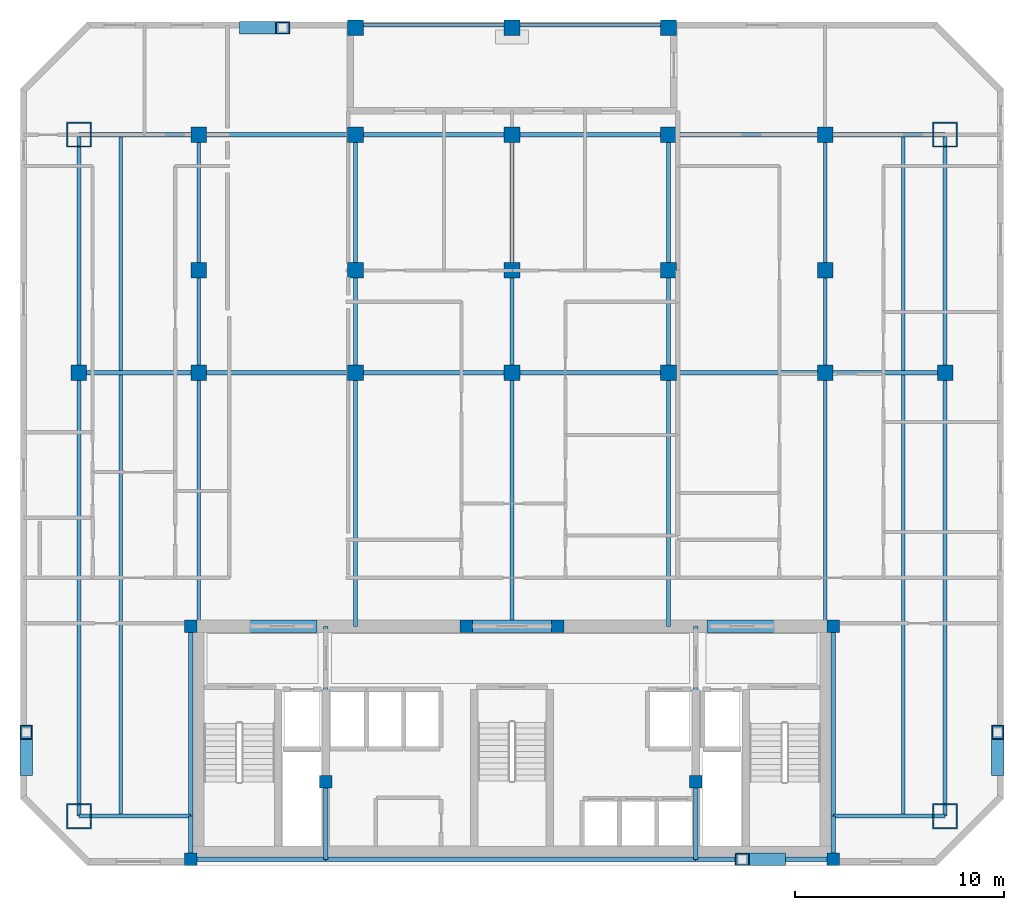
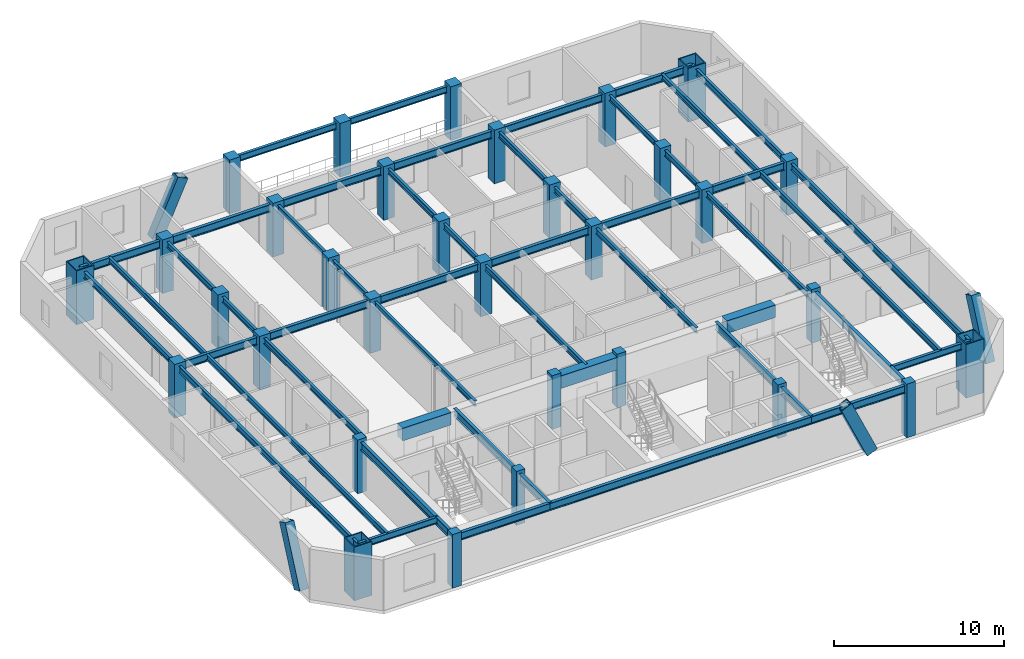
# One storey, part 1 of 8: 48 beams, 32 columns, 4 members.
"""IFC4 building model written with IfcOpenShell, lengths in metres."""

from ifc_helpers import new_model, si_unit, direction, frame, origin, origin_2d, place, context, subcontext, project, spatial, rectangle, hollow_rectangle, i_section, extrude, material, material_profile, profile_set, type_object, element, save


model = new_model("IFC4")

# Units and contexts
model_context = context("Model", 3, precision=1e-05, world=origin(), true_north=direction((0.0, 1.0)))
body_context = subcontext(model_context, "Body", "Model", "MODEL_VIEW")
ifc_project = project(units=[si_unit("LENGTHUNIT", "METRE"), si_unit("AREAUNIT", "SQUARE_METRE"), si_unit("VOLUMEUNIT", "CUBIC_METRE"), si_unit("PLANEANGLEUNIT", "RADIAN"), si_unit("MASSUNIT", "GRAM", prefix="KILO")], contexts=[model_context])

# Site, building, storey
site_placement = place(None, origin())
site = spatial("IfcSite", under=ifc_project, at=site_placement, CompositionType="ELEMENT")
building_placement = place(site_placement, origin())
building = spatial("IfcBuilding", under=site, at=building_placement, Name="Ventersveld Concourse Tower", CompositionType="ELEMENT")
storey_placement = place(building_placement, frame((0.0, 0.0, 192.60009765625)))
storey = spatial("IfcBuildingStorey", under=building, at=storey_placement, Name="L47", CompositionType="ELEMENT", Elevation=192.60009765625)

# Columns
ifc_material_1 = material(Name="Concrete C50/60", Category="concrete")
ifc_material_profile_1 = material_profile(ifc_material_1, rectangle(XDim=0.60009765625, YDim=0.60009765625, at=origin_2d()), Name="RC 600x600")
ifc_profile_set_1 = profile_set([ifc_material_profile_1], Name="Concrete C50/60")
column_type_1 = type_object("IfcColumnType", Name="COL-RC600", PredefinedType="COLUMN", material=ifc_profile_set_1)
for number, where, z_axis, x_axis, name in (
    (1, (13.35009765625, 0.280029296875, 0.0), (0.0, 0.0, 1.0), (1.0, 0.0, 0.0), "L47 Core Spine Column CC-SW"),
    (2, (44.14990234375, 0.280029296875, 0.0), (0.0, 0.0, 1.0), (1.0, 0.0, 0.0), "L47 Core Spine Column CC-SE"),
    (3, (13.35009765625, 11.449951171875, 0.0), (0.0, 0.0, 1.0), (1.0, 0.0, 0.0), "L47 Core Spine Column CC-NW"),
    (4, (44.14990234375, 11.449951171875, 0.0), (0.0, 0.0, 1.0), (1.0, 0.0, 0.0), "L47 Core Spine Column CC-NE"),
    (5, (19.820068359375, 4.0, 0.0), (0.0, 0.0, 1.0), (1.0, 0.0, 0.0), "L47 Core Spine Column CM-1"),
    (6, (37.550048828125, 4.0, 0.0), (0.0, 0.0, 1.0), (1.0, 0.0, 0.0), "L47 Core Spine Column CM-2"),
    (7, (26.550048828125, 11.449951171875, 0.0), (0.0, 0.0, 1.0), (1.0, 0.0, 0.0), "L47 Core Spine Column CM-3"),
    (8, (30.949951171875, 11.449951171875, 0.0), (0.0, 0.0, 1.0), (1.0, 0.0, 0.0), "L47 Core Spine Column CM-4"),
):
    element("IfcColumn", number, at=place(storey_placement, frame(where, z_axis=z_axis, x_axis=x_axis)), inside=storey, type_object=column_type_1, Name=name, PredefinedType="COLUMN", context=body_context, shape_type="SweptSolid", body=[
        extrude(rectangle(XDim=0.60009765625, YDim=0.60009765625, at=origin_2d()), origin(), (0.0, 0.0, 1.0), 3.849853515625),
    ])
ifc_material_profile_2 = material_profile(ifc_material_1, rectangle(XDim=0.75, YDim=0.75, at=origin_2d()), Name="RC 750x750")
ifc_profile_set_2 = profile_set([ifc_material_profile_2], Name="Concrete C50/60")
column_type_2 = type_object("IfcColumnType", Name="COL-RC750", PredefinedType="COLUMN", material=ifc_profile_set_2)
for number, where, z_axis, x_axis, name in (
    (9, (8.0, 23.60009765625, 0.0), (0.0, 0.0, 1.0), (1.0, 0.0, 0.0), "L47 Interior Gravity Column X=8.00 Y=23.60"),
    (10, (13.75, 23.60009765625, 0.0), (0.0, 0.0, 1.0), (1.0, 0.0, 0.0), "L47 Interior Gravity Column X=13.75 Y=23.60"),
    (11, (21.25, 23.60009765625, 0.0), (0.0, 0.0, 1.0), (1.0, 0.0, 0.0), "L47 Interior Gravity Column X=21.25 Y=23.60"),
    (12, (28.75, 23.60009765625, 0.0), (0.0, 0.0, 1.0), (1.0, 0.0, 0.0), "L47 Interior Gravity Column X=28.75 Y=23.60"),
    (13, (36.25, 23.60009765625, 0.0), (0.0, 0.0, 1.0), (1.0, 0.0, 0.0), "L47 Interior Gravity Column X=36.25 Y=23.60"),
    (14, (43.75, 23.60009765625, 0.0), (0.0, 0.0, 1.0), (1.0, 0.0, 0.0), "L47 Interior Gravity Column X=43.75 Y=23.60"),
    (15, (49.5, 23.60009765625, 0.0), (0.0, 0.0, 1.0), (1.0, 0.0, 0.0), "L47 Interior Gravity Column X=49.50 Y=23.60"),
    (16, (13.75, 28.5, 0.0), (0.0, 0.0, 1.0), (1.0, 0.0, 0.0), "L47 Upper-North Gravity Column X=13.75 Y=28.50"),
    (17, (21.25, 28.5, 0.0), (0.0, 0.0, 1.0), (1.0, 0.0, 0.0), "L47 Upper-North Gravity Column X=21.25 Y=28.50"),
    (18, (28.75, 28.5, 0.0), (0.0, 0.0, 1.0), (1.0, 0.0, 0.0), "L47 Upper-North Gravity Column X=28.75 Y=28.50"),
    (19, (36.25, 28.5, 0.0), (0.0, 0.0, 1.0), (1.0, 0.0, 0.0), "L47 Upper-North Gravity Column X=36.25 Y=28.50"),
    (20, (43.75, 28.5, 0.0), (0.0, 0.0, 1.0), (1.0, 0.0, 0.0), "L47 Upper-North Gravity Column X=43.75 Y=28.50"),
    (21, (21.25, 40.1201171875, 0.0), (0.0, 0.0, 1.0), (1.0, 0.0, 0.0), "L47 North Brace Node Column X=21.25 Y=40.12"),
    (22, (28.75, 40.1201171875, 0.0), (0.0, 0.0, 1.0), (1.0, 0.0, 0.0), "L47 North Brace Node Column X=28.75 Y=40.12"),
    (23, (36.25, 40.1201171875, 0.0), (0.0, 0.0, 1.0), (1.0, 0.0, 0.0), "L47 North Brace Node Column X=36.25 Y=40.12"),
    (24, (13.75, 35.0, 0.0), (0.0, 0.0, 1.0), (1.0, 0.0, 0.0), "L47 Mid-North Column X=13.75 Y=35.00"),
    (25, (21.25, 35.0, 0.0), (0.0, 0.0, 1.0), (1.0, 0.0, 0.0), "L47 Mid-North Column X=21.25 Y=35.00"),
    (26, (28.75, 35.0, 0.0), (0.0, 0.0, 1.0), (1.0, 0.0, 0.0), "L47 Mid-North Column X=28.75 Y=35.00"),
    (27, (36.25, 35.0, 0.0), (0.0, 0.0, 1.0), (1.0, 0.0, 0.0), "L47 Mid-North Column X=36.25 Y=35.00"),
    (28, (43.75, 35.0, 0.0), (0.0, 0.0, 1.0), (1.0, 0.0, 0.0), "L47 Mid-North Column X=43.75 Y=35.00"),
):
    element("IfcColumn", number, at=place(storey_placement, frame(where, z_axis=z_axis, x_axis=x_axis)), inside=storey, type_object=column_type_2, Name=name, PredefinedType="COLUMN", context=body_context, shape_type="SweptSolid", body=[
        extrude(rectangle(XDim=0.75, YDim=0.75, at=origin_2d()), origin(), (0.0, 0.0, 1.0), 3.849853515625),
    ])
ifc_material_2 = material(Name="Structural steel S460ML", Category="steel")
ifc_material_profile_3 = material_profile(ifc_material_2, hollow_rectangle(XDim=1.199951171875, YDim=1.199951171875, WallThickness=0.070068359375, at=origin_2d()), Name="BOX 1200x1200x70")
ifc_profile_set_3 = profile_set([ifc_material_profile_3], Name="Structural steel S460ML")
column_type_3 = type_object("IfcColumnType", Name="MC-1200", PredefinedType="USERDEFINED", material=ifc_profile_set_3)
for number, where, z_axis, x_axis, name in (
    (29, (8.0, 2.35009765625, 0.0), (0.0, 0.0, 1.0), (1.0, 0.0, 0.0), "L47 Corner Mega-Column MC-SW"),
    (30, (49.5, 2.35009765625, 0.0), (0.0, 0.0, 1.0), (1.0, 0.0, 0.0), "L47 Corner Mega-Column MC-SE"),
    (31, (49.5, 35.0, 0.0), (0.0, 0.0, 1.0), (1.0, 0.0, 0.0), "L47 Corner Mega-Column MC-NE"),
    (32, (8.0, 35.0, 0.0), (0.0, 0.0, 1.0), (1.0, 0.0, 0.0), "L47 Corner Mega-Column MC-NW"),
):
    element("IfcColumn", number, at=place(storey_placement, frame(where, z_axis=z_axis, x_axis=x_axis)), inside=storey, type_object=column_type_3, Name=name, ObjectType="MEGA_COLUMN", PredefinedType="USERDEFINED", context=body_context, shape_type="SweptSolid", body=[
        extrude(hollow_rectangle(XDim=1.199951171875, YDim=1.199951171875, WallThickness=0.070068359375, at=origin_2d()), origin(), (0.0, 0.0, 1.0), 3.849853515625),
    ])

# Beams
ifc_material_3 = material(Name="Structural steel S355J2", Category="steel")
ifc_material_profile_4 = material_profile(ifc_material_3, i_section(OverallWidth=0.177978515625, OverallDepth=0.406494140625, WebThickness=0.0078125, FlangeThickness=0.0126953125, FilletRadius=0.01025390625, at=origin_2d()), Name="UB 406x178x60")
ifc_profile_set_4 = profile_set([ifc_material_profile_4], Name="Structural steel S355J2")
beam_type_1 = type_object("IfcBeamType", Name="BM-UB406", PredefinedType="BEAM", material=ifc_profile_set_4)
beam_1_placement = place(storey_placement, frame((10.0, 2.35009765625, 3.4267578125), z_axis=(0.0, 1.0, 0.0), x_axis=(-1.0, 0.0, 0.0)))
element("IfcBeam", 33, at=beam_1_placement, inside=storey, type_object=beam_type_1, Name="L47 N-S Composite Floor Beam South X=10.00", PredefinedType="BEAM", context=body_context, shape_type="SweptSolid", body=[
    extrude(i_section(OverallWidth=0.177978515625, OverallDepth=0.406494140625, WebThickness=0.0078125, FlangeThickness=0.0126953125, FilletRadius=0.01025390625, at=origin_2d()), origin(), (0.0, 0.0, 1.0), 21.15478515625),
])
beam_2_placement = place(storey_placement, frame((10.0, 23.695068359375, 3.4267578125), z_axis=(0.0, 1.0, 0.0), x_axis=(-1.0, 0.0, 0.0)))
element("IfcBeam", 34, at=beam_2_placement, inside=storey, type_object=beam_type_1, Name="L47 N-S Composite Floor Beam Mid X=10.00", PredefinedType="BEAM", context=body_context, shape_type="SweptSolid", body=[
    extrude(i_section(OverallWidth=0.177978515625, OverallDepth=0.406494140625, WebThickness=0.0078125, FlangeThickness=0.0126953125, FilletRadius=0.01025390625, at=origin_2d()), origin(), (0.0, 0.0, 1.0), 11.304931640625),
])
beam_3_placement = place(storey_placement, frame((13.75, 11.449951171875, 3.4267578125), z_axis=(0.0, 1.0, 0.0), x_axis=(-1.0, 0.0, 0.0)))
element("IfcBeam", 35, at=beam_3_placement, inside=storey, type_object=beam_type_1, Name="L47 N-S Composite Floor Beam South X=13.75", PredefinedType="BEAM", context=body_context, shape_type="SweptSolid", body=[
    extrude(i_section(OverallWidth=0.177978515625, OverallDepth=0.406494140625, WebThickness=0.0078125, FlangeThickness=0.0126953125, FilletRadius=0.01025390625, at=origin_2d()), origin(), (0.0, 0.0, 1.0), 12.150146484375),
])
beam_4_placement = place(storey_placement, frame((13.75, 23.60009765625, 3.4267578125), z_axis=(0.0, 1.0, 0.0), x_axis=(-1.0, 0.0, 0.0)))
element("IfcBeam", 36, at=beam_4_placement, inside=storey, type_object=beam_type_1, Name="L47 N-S Composite Floor Beam Mid X=13.75", PredefinedType="BEAM", context=body_context, shape_type="SweptSolid", body=[
    extrude(i_section(OverallWidth=0.177978515625, OverallDepth=0.406494140625, WebThickness=0.0078125, FlangeThickness=0.0126953125, FilletRadius=0.01025390625, at=origin_2d()), origin(), (0.0, 0.0, 1.0), 11.39990234375),
])
beam_5_placement = place(storey_placement, frame((21.25, 11.449951171875, 3.4267578125), z_axis=(0.0, 1.0, 0.0), x_axis=(-1.0, 0.0, 0.0)))
element("IfcBeam", 37, at=beam_5_placement, inside=storey, type_object=beam_type_1, Name="L47 N-S Composite Floor Beam South X=21.25", PredefinedType="BEAM", context=body_context, shape_type="SweptSolid", body=[
    extrude(i_section(OverallWidth=0.177978515625, OverallDepth=0.406494140625, WebThickness=0.0078125, FlangeThickness=0.0126953125, FilletRadius=0.01025390625, at=origin_2d()), origin(), (0.0, 0.0, 1.0), 12.150146484375),
])
beam_6_placement = place(storey_placement, frame((21.25, 23.60009765625, 3.4267578125), z_axis=(0.0, 1.0, 0.0), x_axis=(-1.0, 0.0, 0.0)))
element("IfcBeam", 38, at=beam_6_placement, inside=storey, type_object=beam_type_1, Name="L47 N-S Composite Floor Beam Mid X=21.25", PredefinedType="BEAM", context=body_context, shape_type="SweptSolid", body=[
    extrude(i_section(OverallWidth=0.177978515625, OverallDepth=0.406494140625, WebThickness=0.0078125, FlangeThickness=0.0126953125, FilletRadius=0.01025390625, at=origin_2d()), origin(), (0.0, 0.0, 1.0), 11.39990234375),
])
beam_7_placement = place(storey_placement, frame((28.75, 11.449951171875, 3.4267578125), z_axis=(0.0, 1.0, 0.0), x_axis=(-1.0, 0.0, 0.0)))
element("IfcBeam", 39, at=beam_7_placement, inside=storey, type_object=beam_type_1, Name="L47 N-S Composite Floor Beam South X=28.75", PredefinedType="BEAM", context=body_context, shape_type="SweptSolid", body=[
    extrude(i_section(OverallWidth=0.177978515625, OverallDepth=0.406494140625, WebThickness=0.0078125, FlangeThickness=0.0126953125, FilletRadius=0.01025390625, at=origin_2d()), origin(), (0.0, 0.0, 1.0), 12.150146484375),
])
beam_8_placement = place(storey_placement, frame((28.75, 23.60009765625, 3.4267578125), z_axis=(0.0, 1.0, 0.0), x_axis=(-1.0, 0.0, 0.0)))
element("IfcBeam", 40, at=beam_8_placement, inside=storey, type_object=beam_type_1, Name="L47 N-S Composite Floor Beam Mid X=28.75", PredefinedType="BEAM", context=body_context, shape_type="SweptSolid", body=[
    extrude(i_section(OverallWidth=0.177978515625, OverallDepth=0.406494140625, WebThickness=0.0078125, FlangeThickness=0.0126953125, FilletRadius=0.01025390625, at=origin_2d()), origin(), (0.0, 0.0, 1.0), 11.39990234375),
])
beam_9_placement = place(storey_placement, frame((36.25, 11.449951171875, 3.4267578125), z_axis=(0.0, 1.0, 0.0), x_axis=(-1.0, 0.0, 0.0)))
element("IfcBeam", 41, at=beam_9_placement, inside=storey, type_object=beam_type_1, Name="L47 N-S Composite Floor Beam South X=36.25", PredefinedType="BEAM", context=body_context, shape_type="SweptSolid", body=[
    extrude(i_section(OverallWidth=0.177978515625, OverallDepth=0.406494140625, WebThickness=0.0078125, FlangeThickness=0.0126953125, FilletRadius=0.01025390625, at=origin_2d()), origin(), (0.0, 0.0, 1.0), 12.150146484375),
])
beam_10_placement = place(storey_placement, frame((36.25, 23.60009765625, 3.4267578125), z_axis=(0.0, 1.0, 0.0), x_axis=(-1.0, 0.0, 0.0)))
element("IfcBeam", 42, at=beam_10_placement, inside=storey, type_object=beam_type_1, Name="L47 N-S Composite Floor Beam Mid X=36.25", PredefinedType="BEAM", context=body_context, shape_type="SweptSolid", body=[
    extrude(i_section(OverallWidth=0.177978515625, OverallDepth=0.406494140625, WebThickness=0.0078125, FlangeThickness=0.0126953125, FilletRadius=0.01025390625, at=origin_2d()), origin(), (0.0, 0.0, 1.0), 11.39990234375),
])
beam_11_placement = place(storey_placement, frame((43.75, 11.449951171875, 3.4267578125), z_axis=(0.0, 1.0, 0.0), x_axis=(-1.0, 0.0, 0.0)))
element("IfcBeam", 43, at=beam_11_placement, inside=storey, type_object=beam_type_1, Name="L47 N-S Composite Floor Beam South X=43.75", PredefinedType="BEAM", context=body_context, shape_type="SweptSolid", body=[
    extrude(i_section(OverallWidth=0.177978515625, OverallDepth=0.406494140625, WebThickness=0.0078125, FlangeThickness=0.0126953125, FilletRadius=0.01025390625, at=origin_2d()), origin(), (0.0, 0.0, 1.0), 12.150146484375),
])
beam_12_placement = place(storey_placement, frame((43.75, 23.60009765625, 3.4267578125), z_axis=(0.0, 1.0, 0.0), x_axis=(-1.0, 0.0, 0.0)))
element("IfcBeam", 44, at=beam_12_placement, inside=storey, type_object=beam_type_1, Name="L47 N-S Composite Floor Beam Mid X=43.75", PredefinedType="BEAM", context=body_context, shape_type="SweptSolid", body=[
    extrude(i_section(OverallWidth=0.177978515625, OverallDepth=0.406494140625, WebThickness=0.0078125, FlangeThickness=0.0126953125, FilletRadius=0.01025390625, at=origin_2d()), origin(), (0.0, 0.0, 1.0), 11.39990234375),
])
beam_13_placement = place(storey_placement, frame((47.5, 2.35009765625, 3.4267578125), z_axis=(0.0, 1.0, 0.0), x_axis=(-1.0, 0.0, 0.0)))
element("IfcBeam", 45, at=beam_13_placement, inside=storey, type_object=beam_type_1, Name="L47 N-S Composite Floor Beam South X=47.50", PredefinedType="BEAM", context=body_context, shape_type="SweptSolid", body=[
    extrude(i_section(OverallWidth=0.177978515625, OverallDepth=0.406494140625, WebThickness=0.0078125, FlangeThickness=0.0126953125, FilletRadius=0.01025390625, at=origin_2d()), origin(), (0.0, 0.0, 1.0), 21.15478515625),
])
beam_14_placement = place(storey_placement, frame((47.5, 23.695068359375, 3.4267578125), z_axis=(0.0, 1.0, 0.0), x_axis=(-1.0, 0.0, 0.0)))
element("IfcBeam", 46, at=beam_14_placement, inside=storey, type_object=beam_type_1, Name="L47 N-S Composite Floor Beam Mid X=47.50", PredefinedType="BEAM", context=body_context, shape_type="SweptSolid", body=[
    extrude(i_section(OverallWidth=0.177978515625, OverallDepth=0.406494140625, WebThickness=0.0078125, FlangeThickness=0.0126953125, FilletRadius=0.01025390625, at=origin_2d()), origin(), (0.0, 0.0, 1.0), 11.304931640625),
])
ifc_material_profile_5 = material_profile(ifc_material_1, rectangle(XDim=0.60009765625, YDim=0.89990234375, at=origin_2d()), Name="RC 600x900")
ifc_profile_set_5 = profile_set([ifc_material_profile_5], Name="Concrete C50/60")
beam_type_2 = type_object("IfcBeamType", Name="CB-RC600x900U", PredefinedType="LINTEL", material=ifc_profile_set_5)
beam_15_placement = place(storey_placement, frame((16.10009765625, 11.449951171875, 3.179931640625), z_axis=(1.0, 0.0, 0.0), x_axis=(0.0, 1.0, 0.0)))
element("IfcBeam", 47, at=beam_15_placement, inside=storey, type_object=beam_type_2, Name="L47 Core Coupling Lintel Beam 1", PredefinedType="LINTEL", context=body_context, shape_type="SweptSolid", body=[
    extrude(rectangle(XDim=0.60009765625, YDim=0.89990234375, at=origin_2d()), origin(), (0.0, 0.0, 1.0), 3.2998046875),
])
beam_16_placement = place(storey_placement, frame((26.5, 11.449951171875, 3.179931640625), z_axis=(1.0, 0.0, 0.0), x_axis=(0.0, 1.0, 0.0)))
element("IfcBeam", 48, at=beam_16_placement, inside=storey, type_object=beam_type_2, Name="L47 Core Coupling Lintel Beam 2", PredefinedType="LINTEL", context=body_context, shape_type="SweptSolid", body=[
    extrude(rectangle(XDim=0.60009765625, YDim=0.89990234375, at=origin_2d()), origin(), (0.0, 0.0, 1.0), 4.5),
])
beam_17_placement = place(storey_placement, frame((38.10009765625, 11.449951171875, 3.179931640625), z_axis=(1.0, 0.0, 0.0), x_axis=(0.0, 1.0, 0.0)))
element("IfcBeam", 49, at=beam_17_placement, inside=storey, type_object=beam_type_2, Name="L47 Core Coupling Lintel Beam 3", PredefinedType="LINTEL", context=body_context, shape_type="SweptSolid", body=[
    extrude(rectangle(XDim=0.60009765625, YDim=0.89990234375, at=origin_2d()), origin(), (0.0, 0.0, 1.0), 3.2998046875),
])
ifc_material_profile_6 = material_profile(ifc_material_3, i_section(OverallWidth=0.2119140625, OverallDepth=0.54443359375, WebThickness=0.0126953125, FlangeThickness=0.021240234375, FilletRadius=0.0126953125, at=origin_2d()), Name="UB 533x210x122")
ifc_profile_set_6 = profile_set([ifc_material_profile_6], Name="Structural steel S355J2")
beam_type_3 = type_object("IfcBeamType", Name="GRD-UB533H", PredefinedType="T_BEAM", material=ifc_profile_set_6)
beam_18_placement = place(storey_placement, frame((13.35009765625, 0.280029296875, 3.357666015625), z_axis=(0.0, 1.0, 0.0), x_axis=(-1.0, 0.0, 0.0)))
element("IfcBeam", 50, at=beam_18_placement, inside=storey, type_object=beam_type_3, Name="L47 Core West Tie Beam S", PredefinedType="T_BEAM", context=body_context, shape_type="SweptSolid", body=[
    extrude(i_section(OverallWidth=0.2119140625, OverallDepth=0.54443359375, WebThickness=0.0126953125, FlangeThickness=0.021240234375, FilletRadius=0.0126953125, at=origin_2d()), origin(), (0.0, 0.0, 1.0), 2.070068359375),
])
beam_19_placement = place(storey_placement, frame((13.35009765625, 2.35009765625, 3.357666015625), z_axis=(0.0, 1.0, 0.0), x_axis=(-1.0, 0.0, 0.0)))
element("IfcBeam", 51, at=beam_19_placement, inside=storey, type_object=beam_type_3, Name="L47 Core West Tie Beam N", PredefinedType="T_BEAM", context=body_context, shape_type="SweptSolid", body=[
    extrude(i_section(OverallWidth=0.2119140625, OverallDepth=0.54443359375, WebThickness=0.0126953125, FlangeThickness=0.021240234375, FilletRadius=0.0126953125, at=origin_2d()), origin(), (0.0, 0.0, 1.0), 9.099853515625),
])
beam_20_placement = place(storey_placement, frame((44.14990234375, 0.280029296875, 3.357666015625), z_axis=(0.0, 1.0, 0.0), x_axis=(-1.0, 0.0, 0.0)))
element("IfcBeam", 52, at=beam_20_placement, inside=storey, type_object=beam_type_3, Name="L47 Core East Tie Beam S", PredefinedType="T_BEAM", context=body_context, shape_type="SweptSolid", body=[
    extrude(i_section(OverallWidth=0.2119140625, OverallDepth=0.54443359375, WebThickness=0.0126953125, FlangeThickness=0.021240234375, FilletRadius=0.0126953125, at=origin_2d()), origin(), (0.0, 0.0, 1.0), 2.070068359375),
])
beam_21_placement = place(storey_placement, frame((44.14990234375, 2.35009765625, 3.357666015625), z_axis=(0.0, 1.0, 0.0), x_axis=(-1.0, 0.0, 0.0)))
element("IfcBeam", 53, at=beam_21_placement, inside=storey, type_object=beam_type_3, Name="L47 Core East Tie Beam N", PredefinedType="T_BEAM", context=body_context, shape_type="SweptSolid", body=[
    extrude(i_section(OverallWidth=0.2119140625, OverallDepth=0.54443359375, WebThickness=0.0126953125, FlangeThickness=0.021240234375, FilletRadius=0.0126953125, at=origin_2d()), origin(), (0.0, 0.0, 1.0), 9.099853515625),
])
beam_22_placement = place(storey_placement, frame((13.35009765625, 0.280029296875, 3.357666015625), z_axis=(1.0, 0.0, 0.0), x_axis=(0.0, 1.0, 0.0)))
element("IfcBeam", 54, at=beam_22_placement, inside=storey, type_object=beam_type_3, Name="L47 Core South Tie Beam W", PredefinedType="T_BEAM", context=body_context, shape_type="SweptSolid", body=[
    extrude(i_section(OverallWidth=0.2119140625, OverallDepth=0.54443359375, WebThickness=0.0126953125, FlangeThickness=0.021240234375, FilletRadius=0.0126953125, at=origin_2d()), origin(), (0.0, 0.0, 1.0), 6.469970703125),
])
beam_23_placement = place(storey_placement, frame((19.820068359375, 0.280029296875, 3.357666015625), z_axis=(1.0, 0.0, 0.0), x_axis=(0.0, 1.0, 0.0)))
element("IfcBeam", 55, at=beam_23_placement, inside=storey, type_object=beam_type_3, Name="L47 Core South Tie Beam C", PredefinedType="T_BEAM", context=body_context, shape_type="SweptSolid", body=[
    extrude(i_section(OverallWidth=0.2119140625, OverallDepth=0.54443359375, WebThickness=0.0126953125, FlangeThickness=0.021240234375, FilletRadius=0.0126953125, at=origin_2d()), origin(), (0.0, 0.0, 1.0), 17.72998046875),
])
beam_24_placement = place(storey_placement, frame((37.550048828125, 0.280029296875, 3.357666015625), z_axis=(1.0, 0.0, 0.0), x_axis=(0.0, 1.0, 0.0)))
element("IfcBeam", 56, at=beam_24_placement, inside=storey, type_object=beam_type_3, Name="L47 Core South Tie Beam E", PredefinedType="T_BEAM", context=body_context, shape_type="SweptSolid", body=[
    extrude(i_section(OverallWidth=0.2119140625, OverallDepth=0.54443359375, WebThickness=0.0126953125, FlangeThickness=0.021240234375, FilletRadius=0.0126953125, at=origin_2d()), origin(), (0.0, 0.0, 1.0), 6.599853515625),
])
beam_25_placement = place(storey_placement, frame((19.820068359375, 0.280029296875, 3.357666015625), z_axis=(0.0, 1.0, 0.0), x_axis=(-1.0, 0.0, 0.0)))
element("IfcBeam", 57, at=beam_25_placement, inside=storey, type_object=beam_type_3, Name="L47 Core Spine N-S Tie Beam W1", PredefinedType="T_BEAM", context=body_context, shape_type="SweptSolid", body=[
    extrude(i_section(OverallWidth=0.2119140625, OverallDepth=0.54443359375, WebThickness=0.0126953125, FlangeThickness=0.021240234375, FilletRadius=0.0126953125, at=origin_2d()), origin(), (0.0, 0.0, 1.0), 3.719970703125),
])
beam_26_placement = place(storey_placement, frame((19.820068359375, 4.0, 3.357666015625), z_axis=(0.0, 1.0, 0.0), x_axis=(-1.0, 0.0, 0.0)))
element("IfcBeam", 58, at=beam_26_placement, inside=storey, type_object=beam_type_3, Name="L47 Core Spine N-S Tie Beam W2", PredefinedType="T_BEAM", context=body_context, shape_type="SweptSolid", body=[
    extrude(i_section(OverallWidth=0.2119140625, OverallDepth=0.54443359375, WebThickness=0.0126953125, FlangeThickness=0.021240234375, FilletRadius=0.0126953125, at=origin_2d()), origin(), (0.0, 0.0, 1.0), 7.449951171875),
])
beam_27_placement = place(storey_placement, frame((37.550048828125, 0.280029296875, 3.357666015625), z_axis=(0.0, 1.0, 0.0), x_axis=(-1.0, 0.0, 0.0)))
element("IfcBeam", 59, at=beam_27_placement, inside=storey, type_object=beam_type_3, Name="L47 Core Spine N-S Tie Beam E1", PredefinedType="T_BEAM", context=body_context, shape_type="SweptSolid", body=[
    extrude(i_section(OverallWidth=0.2119140625, OverallDepth=0.54443359375, WebThickness=0.0126953125, FlangeThickness=0.021240234375, FilletRadius=0.0126953125, at=origin_2d()), origin(), (0.0, 0.0, 1.0), 3.719970703125),
])
beam_28_placement = place(storey_placement, frame((37.550048828125, 4.0, 3.357666015625), z_axis=(0.0, 1.0, 0.0), x_axis=(-1.0, 0.0, 0.0)))
element("IfcBeam", 60, at=beam_28_placement, inside=storey, type_object=beam_type_3, Name="L47 Core Spine N-S Tie Beam E2", PredefinedType="T_BEAM", context=body_context, shape_type="SweptSolid", body=[
    extrude(i_section(OverallWidth=0.2119140625, OverallDepth=0.54443359375, WebThickness=0.0126953125, FlangeThickness=0.021240234375, FilletRadius=0.0126953125, at=origin_2d()), origin(), (0.0, 0.0, 1.0), 7.449951171875),
])
beam_29_placement = place(storey_placement, frame((8.0, 23.60009765625, 3.357666015625), z_axis=(1.0, 0.0, 0.0), x_axis=(0.0, 1.0, 0.0)))
element("IfcBeam", 61, at=beam_29_placement, inside=storey, type_object=beam_type_3, Name="L47 Primary E-W Grid Girder Y=23.60 #1", PredefinedType="T_BEAM", context=body_context, shape_type="SweptSolid", body=[
    extrude(i_section(OverallWidth=0.2119140625, OverallDepth=0.54443359375, WebThickness=0.0126953125, FlangeThickness=0.021240234375, FilletRadius=0.0126953125, at=origin_2d()), origin(), (0.0, 0.0, 1.0), 5.75),
])
for number, where, z_axis, x_axis, name in (
    (62, (13.75, 23.60009765625, 3.357666015625), (1.0, 0.0, 0.0), (0.0, 1.0, 0.0), "L47 Primary E-W Grid Girder Y=23.60 #2"),
    (63, (21.25, 23.60009765625, 3.357666015625), (1.0, 0.0, 0.0), (0.0, 1.0, 0.0), "L47 Primary E-W Grid Girder Y=23.60 #3"),
    (64, (28.75, 23.60009765625, 3.357666015625), (1.0, 0.0, 0.0), (0.0, 1.0, 0.0), "L47 Primary E-W Grid Girder Y=23.60 #4"),
    (65, (36.25, 23.60009765625, 3.357666015625), (1.0, 0.0, 0.0), (0.0, 1.0, 0.0), "L47 Primary E-W Grid Girder Y=23.60 #5"),
):
    element("IfcBeam", number, at=place(storey_placement, frame(where, z_axis=z_axis, x_axis=x_axis)), inside=storey, type_object=beam_type_3, Name=name, PredefinedType="T_BEAM", context=body_context, shape_type="SweptSolid", body=[
        extrude(i_section(OverallWidth=0.2119140625, OverallDepth=0.54443359375, WebThickness=0.0126953125, FlangeThickness=0.021240234375, FilletRadius=0.0126953125, at=origin_2d()), origin(), (0.0, 0.0, 1.0), 7.5),
    ])
for number, where, z_axis, x_axis, name in (
    (66, (43.75, 23.60009765625, 3.357666015625), (1.0, 0.0, 0.0), (0.0, 1.0, 0.0), "L47 Primary E-W Grid Girder Y=23.60 #6"),
    (67, (8.0, 35.0, 3.357666015625), (1.0, 0.0, 0.0), (0.0, 1.0, 0.0), "L47 E-W Grid Girder Y=35.00 #1"),
):
    element("IfcBeam", number, at=place(storey_placement, frame(where, z_axis=z_axis, x_axis=x_axis)), inside=storey, type_object=beam_type_3, Name=name, PredefinedType="T_BEAM", context=body_context, shape_type="SweptSolid", body=[
        extrude(i_section(OverallWidth=0.2119140625, OverallDepth=0.54443359375, WebThickness=0.0126953125, FlangeThickness=0.021240234375, FilletRadius=0.0126953125, at=origin_2d()), origin(), (0.0, 0.0, 1.0), 5.75),
    ])
for number, where, z_axis, x_axis, name in (
    (68, (13.75, 35.0, 3.357666015625), (1.0, 0.0, 0.0), (0.0, 1.0, 0.0), "L47 E-W Grid Girder Y=35.00 #2"),
    (69, (21.25, 35.0, 3.357666015625), (1.0, 0.0, 0.0), (0.0, 1.0, 0.0), "L47 E-W Grid Girder Y=35.00 #3"),
    (70, (28.75, 35.0, 3.357666015625), (1.0, 0.0, 0.0), (0.0, 1.0, 0.0), "L47 E-W Grid Girder Y=35.00 #4"),
    (71, (36.25, 35.0, 3.357666015625), (1.0, 0.0, 0.0), (0.0, 1.0, 0.0), "L47 E-W Grid Girder Y=35.00 #5"),
):
    element("IfcBeam", number, at=place(storey_placement, frame(where, z_axis=z_axis, x_axis=x_axis)), inside=storey, type_object=beam_type_3, Name=name, PredefinedType="T_BEAM", context=body_context, shape_type="SweptSolid", body=[
        extrude(i_section(OverallWidth=0.2119140625, OverallDepth=0.54443359375, WebThickness=0.0126953125, FlangeThickness=0.021240234375, FilletRadius=0.0126953125, at=origin_2d()), origin(), (0.0, 0.0, 1.0), 7.5),
    ])
beam_30_placement = place(storey_placement, frame((43.75, 35.0, 3.357666015625), z_axis=(1.0, 0.0, 0.0), x_axis=(0.0, 1.0, 0.0)))
element("IfcBeam", 72, at=beam_30_placement, inside=storey, type_object=beam_type_3, Name="L47 E-W Grid Girder Y=35.00 #6", PredefinedType="T_BEAM", context=body_context, shape_type="SweptSolid", body=[
    extrude(i_section(OverallWidth=0.2119140625, OverallDepth=0.54443359375, WebThickness=0.0126953125, FlangeThickness=0.021240234375, FilletRadius=0.0126953125, at=origin_2d()), origin(), (0.0, 0.0, 1.0), 5.75),
])

# Members
ifc_material_4 = material(Name="Structural steel S355ML", Category="steel")
ifc_material_profile_7 = material_profile(ifc_material_4, hollow_rectangle(XDim=0.60009765625, YDim=0.75, WallThickness=0.0400390625, at=origin_2d()), Name="BOX 750x600x40")
ifc_profile_set_7 = profile_set([ifc_material_profile_7], Name="Structural steel S355ML")
member_type = type_object("IfcMemberType", Name="MB-750x600", PredefinedType="BRACE", material=ifc_profile_set_7)
for number, where, z_axis, x_axis, name in (
    (73, (16.031494140625, 40.1201171875, -0.22021484375), (0.411733807219, 0.0, 0.911304159978), (0.0, 1.0, 0.0), "L47 Exterior Mega-Brace N (Module M11)"),
    (74, (41.518310546875, 0.280029296875, -0.22021484375), (-0.411733807219, 0.0, 0.911304159978), (0.0, -1.0, 0.0), "L47 Exterior Mega-Brace S (Module M11)"),
    (75, (5.47998046875, 4.631591796875, -0.22021484375), (0.0, 0.411733807219, 0.911304159978), (-1.0, 0.0, 0.0), "L47 Exterior Mega-Brace W (Module M11)"),
    (76, (52.02001953125, 4.631591796875, -0.22021484375), (0.0, 0.411733807219, 0.911304159978), (-1.0, 0.0, 0.0), "L47 Exterior Mega-Brace E (Module M11)"),
):
    element("IfcMember", number, at=place(storey_placement, frame(where, z_axis=z_axis, x_axis=x_axis)), inside=storey, type_object=member_type, Name=name, PredefinedType="BRACE", context=body_context, shape_type="SweptSolid", body=[
        extrude(hollow_rectangle(XDim=0.60009765625, YDim=0.75, WallThickness=0.0400390625, at=origin_2d()), origin(), (0.0, 0.0, 1.0), 4.224853515625),
    ])

# Beams
ifc_material_profile_8 = material_profile(ifc_material_3, i_section(OverallWidth=0.19140625, OverallDepth=0.4599609375, WebThickness=0.010009765625, FlangeThickness=0.01611328125, FilletRadius=0.01025390625, at=origin_2d()), Name="UB 457x191x82")
ifc_profile_set_8 = profile_set([ifc_material_profile_8], Name="Structural steel S355J2")
beam_type_4 = type_object("IfcBeamType", Name="SPD-UB457", PredefinedType="SPANDREL", material=ifc_profile_set_8)
for number, where, z_axis, x_axis, name in (
    (77, (8.0, 2.35009765625, 3.39990234375), (1.0, 0.0, 0.0), (0.0, 1.0, 0.0), "L47 SW Spandrel Beam"),
    (78, (44.14990234375, 2.35009765625, 3.39990234375), (1.0, 0.0, 0.0), (0.0, 1.0, 0.0), "L47 SE Spandrel Beam"),
):
    element("IfcBeam", number, at=place(storey_placement, frame(where, z_axis=z_axis, x_axis=x_axis)), inside=storey, type_object=beam_type_4, Name=name, PredefinedType="SPANDREL", context=body_context, shape_type="SweptSolid", body=[
        extrude(i_section(OverallWidth=0.19140625, OverallDepth=0.4599609375, WebThickness=0.010009765625, FlangeThickness=0.01611328125, FilletRadius=0.01025390625, at=origin_2d()), origin(), (0.0, 0.0, 1.0), 5.35009765625),
    ])
beam_31_placement = place(storey_placement, frame((8.0, 2.35009765625, 3.39990234375), z_axis=(0.0, 1.0, 0.0), x_axis=(-1.0, 0.0, 0.0)))
element("IfcBeam", 79, at=beam_31_placement, inside=storey, type_object=beam_type_4, Name="L47 West Spandrel Beam S", PredefinedType="SPANDREL", context=body_context, shape_type="SweptSolid", body=[
    extrude(i_section(OverallWidth=0.19140625, OverallDepth=0.4599609375, WebThickness=0.010009765625, FlangeThickness=0.01611328125, FilletRadius=0.01025390625, at=origin_2d()), origin(), (0.0, 0.0, 1.0), 21.25),
])
beam_32_placement = place(storey_placement, frame((8.0, 23.60009765625, 3.39990234375), z_axis=(0.0, 1.0, 0.0), x_axis=(-1.0, 0.0, 0.0)))
element("IfcBeam", 80, at=beam_32_placement, inside=storey, type_object=beam_type_4, Name="L47 West Spandrel Beam N", PredefinedType="SPANDREL", context=body_context, shape_type="SweptSolid", body=[
    extrude(i_section(OverallWidth=0.19140625, OverallDepth=0.4599609375, WebThickness=0.010009765625, FlangeThickness=0.01611328125, FilletRadius=0.01025390625, at=origin_2d()), origin(), (0.0, 0.0, 1.0), 11.39990234375),
])
beam_33_placement = place(storey_placement, frame((49.5, 2.35009765625, 3.39990234375), z_axis=(0.0, 1.0, 0.0), x_axis=(-1.0, 0.0, 0.0)))
element("IfcBeam", 81, at=beam_33_placement, inside=storey, type_object=beam_type_4, Name="L47 East Spandrel Beam S", PredefinedType="SPANDREL", context=body_context, shape_type="SweptSolid", body=[
    extrude(i_section(OverallWidth=0.19140625, OverallDepth=0.4599609375, WebThickness=0.010009765625, FlangeThickness=0.01611328125, FilletRadius=0.01025390625, at=origin_2d()), origin(), (0.0, 0.0, 1.0), 21.25),
])
beam_34_placement = place(storey_placement, frame((49.5, 23.60009765625, 3.39990234375), z_axis=(0.0, 1.0, 0.0), x_axis=(-1.0, 0.0, 0.0)))
element("IfcBeam", 82, at=beam_34_placement, inside=storey, type_object=beam_type_4, Name="L47 East Spandrel Beam N", PredefinedType="SPANDREL", context=body_context, shape_type="SweptSolid", body=[
    extrude(i_section(OverallWidth=0.19140625, OverallDepth=0.4599609375, WebThickness=0.010009765625, FlangeThickness=0.01611328125, FilletRadius=0.01025390625, at=origin_2d()), origin(), (0.0, 0.0, 1.0), 11.39990234375),
])
for number, where, z_axis, x_axis, name in (
    (83, (21.25, 40.25, 3.39990234375), (1.0, 0.0, 0.0), (0.0, 1.0, 0.0), "L47 Terrace Edge Spandrel W"),
    (84, (28.75, 40.25, 3.39990234375), (1.0, 0.0, 0.0), (0.0, 1.0, 0.0), "L47 Terrace Edge Spandrel E"),
):
    element("IfcBeam", number, at=place(storey_placement, frame(where, z_axis=z_axis, x_axis=x_axis)), inside=storey, type_object=beam_type_4, Name=name, PredefinedType="SPANDREL", context=body_context, shape_type="SweptSolid", body=[
        extrude(i_section(OverallWidth=0.19140625, OverallDepth=0.4599609375, WebThickness=0.010009765625, FlangeThickness=0.01611328125, FilletRadius=0.01025390625, at=origin_2d()), origin(), (0.0, 0.0, 1.0), 7.5),
    ])

save(model, "model.ifc")
